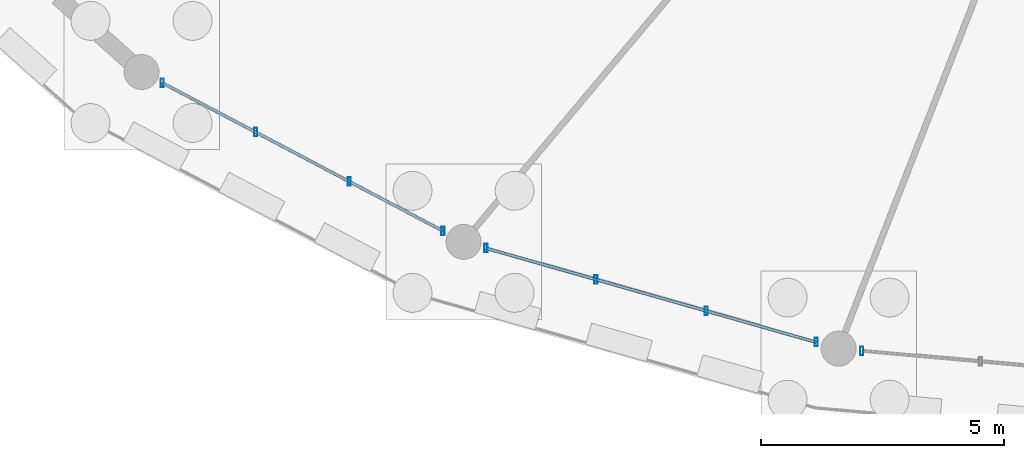
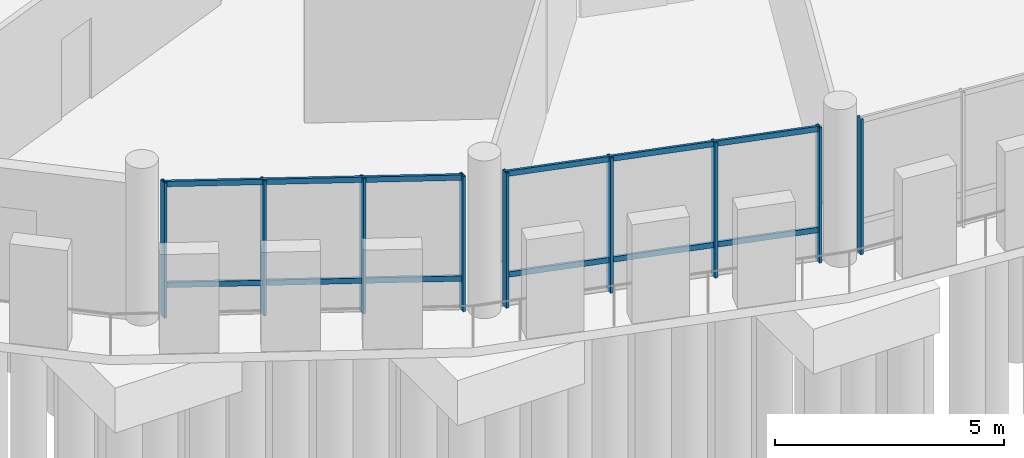
# One storey, part 32 of 98: 13 members, 3 elements without a shape of their own.
"""IFC4 building model written with IfcOpenShell, lengths in metres."""

from ifc_helpers import new_model, si_unit, direction, frame, origin, origin_2d, place, context, subcontext, project, spatial, hollow_rectangle, extrude, material, material_profile, profile_set, type_object, element, aggregate, save


model = new_model("IFC4")

# Units and contexts
model_context = context("Model", 3, precision=1e-05, world=origin(), true_north=direction((0.0, 1.0)))
body_context = subcontext(model_context, "Body", "Model", "MODEL_VIEW")
ifc_project = project(units=[si_unit("LENGTHUNIT", "METRE"), si_unit("AREAUNIT", "SQUARE_METRE"), si_unit("VOLUMEUNIT", "CUBIC_METRE"), si_unit("PLANEANGLEUNIT", "RADIAN"), si_unit("MASSUNIT", "GRAM", prefix="KILO")], contexts=[model_context])

# Site, building, storey
site_placement = place(None, origin())
site = spatial("IfcSite", under=ifc_project, at=site_placement, CompositionType="ELEMENT")
building_placement = place(site_placement, origin())
building = spatial("IfcBuilding", under=site, at=building_placement, Name="Zornivar Specialist Clinic", CompositionType="ELEMENT")
storey_placement = place(building_placement, origin())
storey = spatial("IfcBuildingStorey", under=building, at=storey_placement, Name="L00", CompositionType="ELEMENT", Elevation=0.0)

# Curtain wall, members
ifc_material_1 = material(Name="Aluminium and Low-E Glass Curtain Wall", Category="aluminium")
curtain_wall_type = type_object("IfcCurtainWallType", Name="CW-DRUM-FACET", PredefinedType="NOTDEFINED", material=ifc_material_1)
curtain_wall_1_placement = place(storey_placement, origin())
curtain_wall_1 = element("IfcCurtainWall", 1, at=curtain_wall_1_placement, inside=storey, type_object=curtain_wall_type, Name="cw:V1:L00:c15", PredefinedType="NOTDEFINED")
ifc_material_2 = material(Name="Aluminium AW-6060", Category="aluminium")
ifc_material_profile_1 = material_profile(ifc_material_2, hollow_rectangle(XDim=0.06494140625, YDim=0.175048828125, WallThickness=0.00439453125, at=origin_2d()), Name="ALU 65x175x4.5")
ifc_profile_set_1 = profile_set([ifc_material_profile_1], Name="Aluminium AW-6060")
member_type_1 = type_object("IfcMemberType", Name="CWM-MUL-175", PredefinedType="MULLION", material=ifc_profile_set_1)
member_1_placement = place(storey_placement, frame((71.39697265625, 41.820068359375, 0.0), z_axis=(0.0, 0.0, 1.0), x_axis=(1.0, 0.0, 0.0)))
member_1 = element("IfcMember", 2, at=member_1_placement, type_object=member_type_1, Name="cw:V1:L00:c15:mul:0", PredefinedType="MULLION", context=body_context, shape_type="SweptSolid", body=[
    extrude(hollow_rectangle(XDim=0.06494140625, YDim=0.175048828125, WallThickness=0.00439453125, at=origin_2d()), origin(), (0.0, 0.0, 1.0), 3.610107421875),
])
member_2_placement = place(storey_placement, frame((73.323974609375, 40.803955078125, 0.0), z_axis=(0.0, 0.0, 1.0), x_axis=(1.0, 0.0, 0.0)))
member_2 = element("IfcMember", 3, at=member_2_placement, type_object=member_type_1, Name="cw:V1:L00:c15:mul:1", PredefinedType="MULLION", context=body_context, shape_type="SweptSolid", body=[
    extrude(hollow_rectangle(XDim=0.06494140625, YDim=0.175048828125, WallThickness=0.00439453125, at=origin_2d()), origin(), (0.0, 0.0, 1.0), 3.610107421875),
])
member_3_placement = place(storey_placement, frame((75.25, 39.787109375, 0.0), z_axis=(0.0, 0.0, 1.0), x_axis=(1.0, 0.0, 0.0)))
member_3 = element("IfcMember", 4, at=member_3_placement, type_object=member_type_1, Name="cw:V1:L00:c15:mul:2", PredefinedType="MULLION", context=body_context, shape_type="SweptSolid", body=[
    extrude(hollow_rectangle(XDim=0.06494140625, YDim=0.175048828125, WallThickness=0.00439453125, at=origin_2d()), origin(), (0.0, 0.0, 1.0), 3.610107421875),
])
member_4_placement = place(storey_placement, frame((77.176025390625, 38.77099609375, 0.0), z_axis=(0.0, 0.0, 1.0), x_axis=(1.0, 0.0, 0.0)))
member_4 = element("IfcMember", 5, at=member_4_placement, type_object=member_type_1, Name="cw:V1:L00:c15:mul:3", PredefinedType="MULLION", context=body_context, shape_type="SweptSolid", body=[
    extrude(hollow_rectangle(XDim=0.06494140625, YDim=0.175048828125, WallThickness=0.00439453125, at=origin_2d()), origin(), (0.0, 0.0, 1.0), 3.610107421875),
])

curtain_wall_2_placement = place(storey_placement, origin())
curtain_wall_2 = element("IfcCurtainWall", 6, at=curtain_wall_2_placement, inside=storey, type_object=curtain_wall_type, Name="cw:V1:L00:c16", PredefinedType="NOTDEFINED")
member_5_placement = place(storey_placement, frame((78.06103515625, 38.416015625, 0.0), z_axis=(0.0, 0.0, 1.0), x_axis=(1.0, 0.0, 0.0)))
member_5 = element("IfcMember", 7, at=member_5_placement, type_object=member_type_1, Name="cw:V1:L00:c16:mul:0", PredefinedType="MULLION", context=body_context, shape_type="SweptSolid", body=[
    extrude(hollow_rectangle(XDim=0.06494140625, YDim=0.175048828125, WallThickness=0.00439453125, at=origin_2d()), origin(), (0.0, 0.0, 1.0), 3.610107421875),
])
member_6_placement = place(storey_placement, frame((80.325927734375, 37.77099609375, 0.0), z_axis=(0.0, 0.0, 1.0), x_axis=(1.0, 0.0, 0.0)))
member_6 = element("IfcMember", 8, at=member_6_placement, type_object=member_type_1, Name="cw:V1:L00:c16:mul:1", PredefinedType="MULLION", context=body_context, shape_type="SweptSolid", body=[
    extrude(hollow_rectangle(XDim=0.06494140625, YDim=0.175048828125, WallThickness=0.00439453125, at=origin_2d()), origin(), (0.0, 0.0, 1.0), 3.610107421875),
])
member_7_placement = place(storey_placement, frame((82.592041015625, 37.126953125, 0.0), z_axis=(0.0, 0.0, 1.0), x_axis=(1.0, 0.0, 0.0)))
member_7 = element("IfcMember", 9, at=member_7_placement, type_object=member_type_1, Name="cw:V1:L00:c16:mul:2", PredefinedType="MULLION", context=body_context, shape_type="SweptSolid", body=[
    extrude(hollow_rectangle(XDim=0.06494140625, YDim=0.175048828125, WallThickness=0.00439453125, at=origin_2d()), origin(), (0.0, 0.0, 1.0), 3.610107421875),
])
member_8_placement = place(storey_placement, frame((84.85693359375, 36.48193359375, 0.0), z_axis=(0.0, 0.0, 1.0), x_axis=(1.0, 0.0, 0.0)))
member_8 = element("IfcMember", 10, at=member_8_placement, type_object=member_type_1, Name="cw:V1:L00:c16:mul:3", PredefinedType="MULLION", context=body_context, shape_type="SweptSolid", body=[
    extrude(hollow_rectangle(XDim=0.06494140625, YDim=0.175048828125, WallThickness=0.00439453125, at=origin_2d()), origin(), (0.0, 0.0, 1.0), 3.610107421875),
])

# Curtain wall, member
curtain_wall_3_placement = place(storey_placement, origin())
curtain_wall_3 = element("IfcCurtainWall", 11, at=curtain_wall_3_placement, inside=storey, type_object=curtain_wall_type, Name="cw:V1:L00:c17", PredefinedType="NOTDEFINED")
member_9_placement = place(storey_placement, frame((85.7958984375, 36.305908203125, 0.0), z_axis=(0.0, 0.0, 1.0), x_axis=(1.0, 0.0, 0.0)))
member_9 = element("IfcMember", 12, at=member_9_placement, type_object=member_type_1, Name="cw:V1:L00:c17:mul:0", PredefinedType="MULLION", context=body_context, shape_type="SweptSolid", body=[
    extrude(hollow_rectangle(XDim=0.06494140625, YDim=0.175048828125, WallThickness=0.00439453125, at=origin_2d()), origin(), (0.0, 0.0, 1.0), 3.610107421875),
])
aggregate(curtain_wall_3, [member_9])

# Member
ifc_material_3 = material(Name="Aluminium AW-6060", Category="aluminium")
ifc_material_profile_2 = material_profile(ifc_material_3, hollow_rectangle(XDim=0.06005859375, YDim=0.14501953125, WallThickness=0.00390625, at=origin_2d()), Name="ALU 60x145x4")
ifc_profile_set_2 = profile_set([ifc_material_profile_2], Name="Aluminium AW-6060")
member_type_2 = type_object("IfcMemberType", Name="CWM-TRN-145", PredefinedType="USERDEFINED", material=ifc_profile_set_2)
member_10_placement = place(storey_placement, frame((71.39697265625, 41.820068359375, 0.85009765625), z_axis=(0.884446868274, -0.466640908195, 0.0), x_axis=(0.466640908195, 0.884446868274, 0.0)))
member_10 = element("IfcMember", 13, at=member_10_placement, type_object=member_type_2, Name="cw:V1:L00:c15:trn:0", ObjectType="TRANSOM", PredefinedType="USERDEFINED", context=body_context, shape_type="SweptSolid", body=[
    extrude(hollow_rectangle(XDim=0.06005859375, YDim=0.14501953125, WallThickness=0.00390625, at=origin_2d()), origin(), (0.0, 0.0, 1.0), 6.5341796875),
])

member_11_placement = place(storey_placement, frame((71.39697265625, 41.820068359375, 3.544921875), z_axis=(0.884446868274, -0.466640908195, 0.0), x_axis=(0.466640908195, 0.884446868274, 0.0)))
member_11 = element("IfcMember", 14, at=member_11_placement, type_object=member_type_2, Name="cw:V1:L00:c15:trn:1", ObjectType="TRANSOM", PredefinedType="USERDEFINED", context=body_context, shape_type="SweptSolid", body=[
    extrude(hollow_rectangle(XDim=0.06005859375, YDim=0.14501953125, WallThickness=0.00390625, at=origin_2d()), origin(), (0.0, 0.0, 1.0), 6.5341796875),
])

aggregate(curtain_wall_1, [member_1, member_2, member_3, member_4, member_10, member_11])

member_12_placement = place(storey_placement, frame((78.06103515625, 38.416015625, 0.85009765625), z_axis=(0.961771283353, -0.27385397298, 0.0), x_axis=(0.27385397298, 0.961771283353, 0.0)))
member_12 = element("IfcMember", 15, at=member_12_placement, type_object=member_type_2, Name="cw:V1:L00:c16:trn:0", ObjectType="TRANSOM", PredefinedType="USERDEFINED", context=body_context, shape_type="SweptSolid", body=[
    extrude(hollow_rectangle(XDim=0.06005859375, YDim=0.14501953125, WallThickness=0.00390625, at=origin_2d()), origin(), (0.0, 0.0, 1.0), 7.06591796875),
])

member_13_placement = place(storey_placement, frame((78.06103515625, 38.416015625, 3.544921875), z_axis=(0.961771283353, -0.27385397298, 0.0), x_axis=(0.27385397298, 0.961771283353, 0.0)))
member_13 = element("IfcMember", 16, at=member_13_placement, type_object=member_type_2, Name="cw:V1:L00:c16:trn:1", ObjectType="TRANSOM", PredefinedType="USERDEFINED", context=body_context, shape_type="SweptSolid", body=[
    extrude(hollow_rectangle(XDim=0.06005859375, YDim=0.14501953125, WallThickness=0.00390625, at=origin_2d()), origin(), (0.0, 0.0, 1.0), 7.06591796875),
])

aggregate(curtain_wall_2, [member_5, member_6, member_7, member_8, member_12, member_13])

save(model, "model.ifc")
